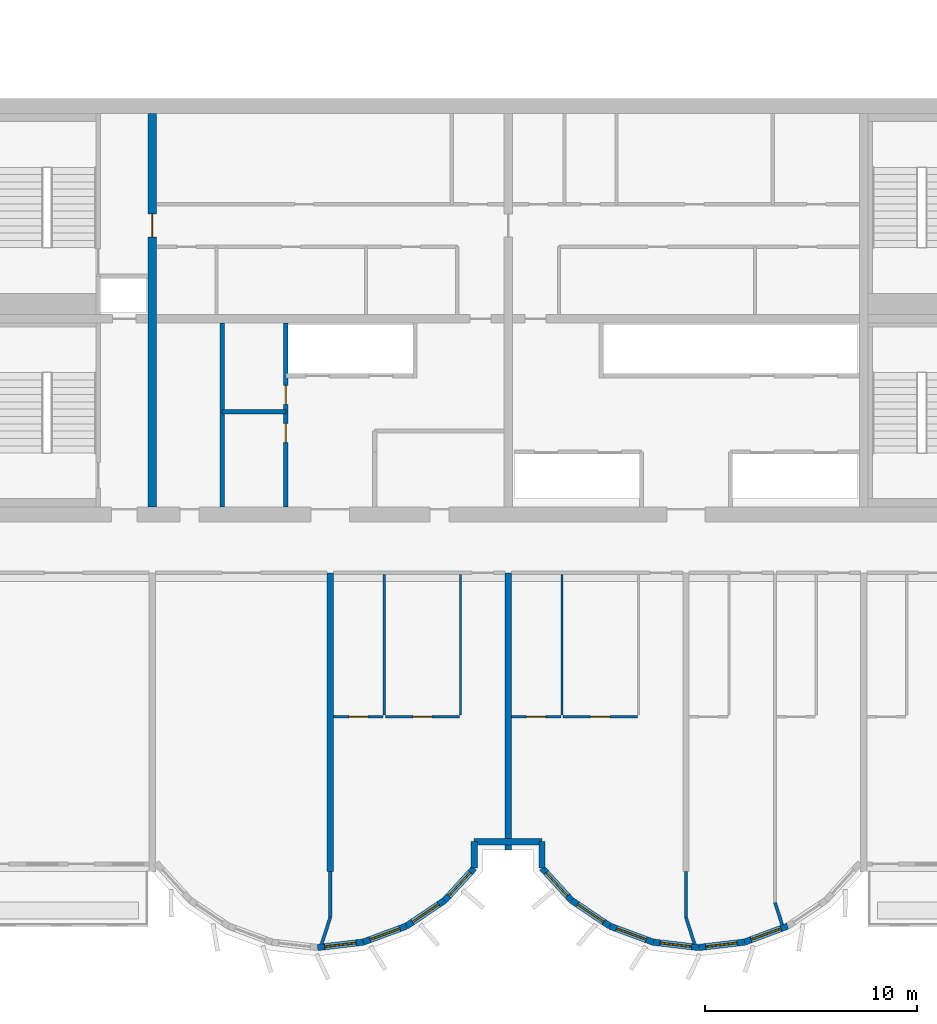
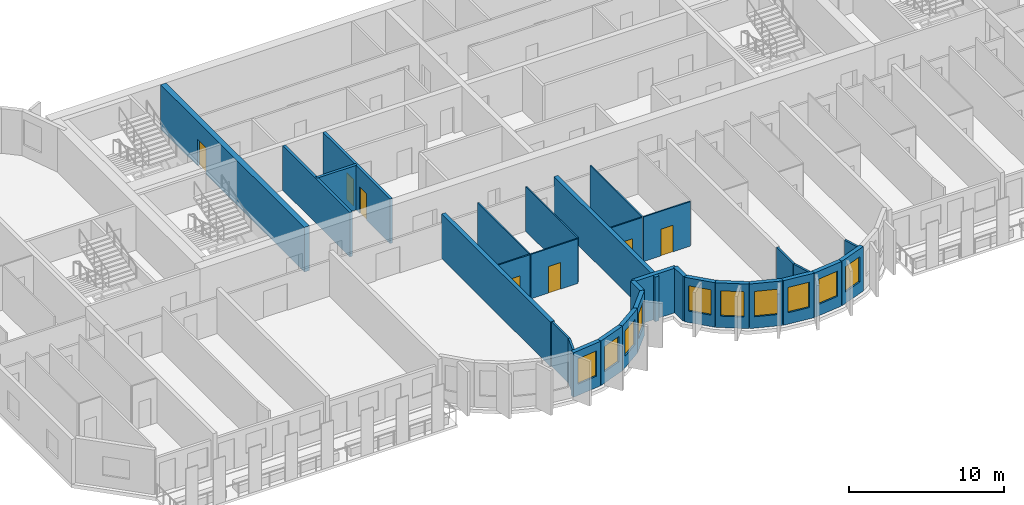
# One storey, part 4 of 13: 31 walls, 10 windows, 7 doors, 17 openings.
"""IFC4 building model written with IfcOpenShell, lengths in metres."""

from ifc_helpers import new_model, si_unit, direction, frame, frame_2d, origin, place, context, subcontext, project, spatial, rectangle, extrude, source, transform, mapped, material, layer, layer_set, type_object, element, fill, save


model = new_model("IFC4")

# Units and contexts
model_context = context("Model", 3, precision=1e-05, world=origin(), true_north=direction((0.0, 1.0)))
body_context = subcontext(model_context, "Body", "Model", "MODEL_VIEW")
ifc_project = project(units=[si_unit("LENGTHUNIT", "METRE"), si_unit("AREAUNIT", "SQUARE_METRE"), si_unit("VOLUMEUNIT", "CUBIC_METRE"), si_unit("PLANEANGLEUNIT", "RADIAN"), si_unit("MASSUNIT", "GRAM", prefix="KILO")], contexts=[model_context])

# Site, building, storey
site_placement = place(None, origin())
site = spatial("IfcSite", under=ifc_project, at=site_placement, CompositionType="ELEMENT")
building_placement = place(site_placement, origin())
building = spatial("IfcBuilding", under=site, at=building_placement, Name="Vanashikhar Sky Hotel", CompositionType="ELEMENT")
storey_placement = place(building_placement, frame((0.0, 0.0, 193.39990234375)))
storey = spatial("IfcBuildingStorey", under=building, at=storey_placement, Name="L47", CompositionType="ELEMENT", Elevation=193.39990234375)

# Wall, opening, door
ifc_material_1 = material(Name="Concrete M60", Category="concrete")
ifc_layer_1 = layer(ifc_material_1, 0.39990234375)
ifc_layer_set_1 = layer_set([ifc_layer_1], Name="RC core inner wall 400 Concrete M60")
wall_type_1 = type_object("IfcWallType", Name="RC core inner wall 400 Concrete M60", PredefinedType="SHEAR", material=ifc_layer_set_1)
shared_shape_1 = source(origin(), body_context, "Body", "SweptSolid", [
    extrude(rectangle(XDim=18.60009765625, YDim=0.39990234375, at=frame_2d((9.300048828125, 0.0))), origin(), (0.0, 0.0, 1.0), 3.52001953125),
])
wall_1_placement = place(storey_placement, frame((33.60009765625, 22.699951171875, 0.0), z_axis=(0.0, 0.0, 1.0), x_axis=(0.0, 1.0, 0.0)))
wall_1 = element("IfcWall", 1, at=wall_1_placement, inside=storey, type_object=wall_type_1, Name="KW-L47-KX1", PredefinedType="SHEAR", context=body_context, shape_type="MappedRepresentation", body=[
    mapped(shared_shape_1, transform((0.0, 0.0, 0.0), scale=1.0)),
])
shared_shape_2 = source(origin(), body_context, "Body", "SweptSolid", [
    extrude(rectangle(XDim=1.10009765625, YDim=2.10009765625, at=frame_2d((0.550048828125, 1.050048828125))), frame((0.0, 0.2099609375, 0.0), z_axis=(0.0, -1.0, 0.0), x_axis=(1.0, 0.0, 0.0)), (0.0, 0.0, 1.0), 0.419921875),
])
opening_1_placement = place(wall_1_placement, frame((12.75, 0.0, 0.0)))
opening_1 = element("IfcOpeningElement", 2, at=opening_1_placement, cuts=wall_1, Name="Opening DC-4-C", PredefinedType="OPENING", context=body_context, shape_type="MappedRepresentation", body=[
    mapped(shared_shape_2, transform((0.0, 0.0, 0.0), scale=1.0)),
])
ifc_material_2 = material(Name="Steel", Category="steel")
door_type_1 = type_object("IfcDoorType", Name="Service door 1100 FD60", OperationType="NOTDEFINED", PredefinedType="DOOR", material=ifc_material_2)
shared_shape_3 = source(origin(), body_context, "Body", "SweptSolid", [
    extrude(rectangle(XDim=1.10009765625, YDim=2.10009765625, at=frame_2d((0.550048828125, 1.050048828125))), frame((0.0, 0.02490234375, 0.0), z_axis=(0.0, -1.0, 0.0), x_axis=(1.0, 0.0, 0.0)), (0.0, 0.0, 1.0), 0.050048828125),
])
door_1_placement = place(opening_1_placement, origin())
door_1 = element("IfcDoor", 3, at=door_1_placement, inside=storey, type_object=door_type_1, Name="Service door 1100 FD60", OperationType="SINGLE_SWING_LEFT", OverallHeight=2.10009765625, OverallWidth=1.10009765625, PredefinedType="DOOR", context=body_context, shape_type="MappedRepresentation", body=[
    mapped(shared_shape_3, transform((0.0, 0.0, 0.0), scale=1.0)),
])
fill(opening_1, door_1)

# Walls
ifc_layer_2 = layer(ifc_material_1, 0.300048828125)
ifc_layer_set_2 = layer_set([ifc_layer_2], Name="RC shear wall 300 Concrete M60")
wall_type_2 = type_object("IfcWallType", Name="RC shear wall 300 Concrete M60", PredefinedType="SHEAR", material=ifc_layer_set_2)
shared_shape_4 = source(origin(), body_context, "Body", "SweptSolid", [
    extrude(rectangle(XDim=14.10009765625, YDim=0.300048828125, at=frame_2d((7.050048828125, 0.0))), origin(), (0.0, 0.0, 1.0), 3.52001953125),
])
wall_2_placement = place(storey_placement, frame((42.0, 5.5, 0.0), z_axis=(0.0, 0.0, 1.0), x_axis=(0.0, 1.0, 0.0)))
element("IfcWall", 4, at=wall_2_placement, inside=storey, type_object=wall_type_2, Name="CW-L47-XW06-1", PredefinedType="SHEAR", context=body_context, shape_type="MappedRepresentation", body=[
    mapped(shared_shape_4, transform((0.0, 0.0, 0.0), scale=1.0)),
])
shared_shape_5 = source(origin(), body_context, "Body", "SweptSolid", [
    extrude(rectangle(XDim=13.10009765625, YDim=0.300048828125, at=frame_2d((6.550048828125, 0.0))), origin(), (0.0, 0.0, 1.0), 3.52001953125),
])
wall_3_placement = place(storey_placement, frame((50.39990234375, 6.5, 0.0), z_axis=(0.0, 0.0, 1.0), x_axis=(0.0, 1.0, 0.0)))
element("IfcWall", 5, at=wall_3_placement, inside=storey, type_object=wall_type_2, Name="CW-L47-XW07-1", PredefinedType="SHEAR", context=body_context, shape_type="MappedRepresentation", body=[
    mapped(shared_shape_5, transform((0.0, 0.0, 0.0), scale=1.0)),
])

# Wall, opening, window
ifc_material_3 = material(Name="Concrete M50", Category="concrete")
ifc_layer_3 = layer(ifc_material_3, 0.300048828125)
ifc_layer_set_3 = layer_set([ifc_layer_3], Name="Lobe wall 300")
wall_type_3 = type_object("IfcWallType", Name="Lobe wall 300", PredefinedType="SOLIDWALL", material=ifc_layer_set_3)
shared_shape_6 = source(origin(), body_context, "Body", "SweptSolid", [
    extrude(rectangle(XDim=2.17578125, YDim=0.300048828125, at=frame_2d((1.087890625, 0.0))), origin(), (0.0, 0.0, 1.0), 3.52001953125),
])
wall_4_placement = place(storey_placement, frame((45.59912109375, 2.91650390625, 0.0), z_axis=(0.0, 0.0, 1.0), x_axis=(0.829625727223, 0.558319937607, 0.0)))
wall_4 = element("IfcWall", 6, at=wall_4_placement, inside=storey, type_object=wall_type_3, Name="Lobe wall", PredefinedType="SOLIDWALL", context=body_context, shape_type="MappedRepresentation", body=[
    mapped(shared_shape_6, transform((0.0, 0.0, 0.0), scale=1.0)),
])
shared_shape_7 = source(origin(), body_context, "Body", "SweptSolid", [
    extrude(rectangle(XDim=1.5, YDim=2.0, at=frame_2d((0.75, 1.0))), frame((0.0, 0.16015625, 0.0), z_axis=(0.0, -1.0, 0.0), x_axis=(1.0, 0.0, 0.0)), (0.0, 0.0, 1.0), 0.320068359375),
])
opening_2_placement = place(wall_4_placement, frame((0.337890625, 0.0, 0.89990234375)))
opening_2 = element("IfcOpeningElement", 7, at=opening_2_placement, cuts=wall_4, Name="Opening WN-2", PredefinedType="OPENING", context=body_context, shape_type="MappedRepresentation", body=[
    mapped(shared_shape_7, transform((0.0, 0.0, 0.0), scale=1.0)),
])
ifc_material_4 = material(Name="Glass", Category="glass")
window_type = type_object("IfcWindowType", Name="Lobe window 1500 x 2000", PartitioningType="SINGLE_PANEL", PredefinedType="WINDOW", material=ifc_material_4)
shared_shape_8 = source(origin(), body_context, "Body", "SweptSolid", [
    extrude(rectangle(XDim=1.5, YDim=2.0, at=frame_2d((0.75, 1.0))), frame((0.0, 0.030029296875, 0.0), z_axis=(0.0, -1.0, 0.0), x_axis=(1.0, 0.0, 0.0)), (0.0, 0.0, 1.0), 0.06005859375),
])
window_1_placement = place(opening_2_placement, origin())
window_1 = element("IfcWindow", 8, at=window_1_placement, inside=storey, type_object=window_type, Name="Window WN-2", OverallHeight=2.0, OverallWidth=1.5, PartitioningType="SINGLE_PANEL", PredefinedType="WINDOW", context=body_context, shape_type="MappedRepresentation", body=[
    mapped(shared_shape_8, transform((0.0, 0.0, 0.0), scale=1.0)),
])
fill(opening_2, window_1)

wall_5_placement = place(storey_placement, frame((53.395751953125, 4.13134765625, 0.0), z_axis=(0.0, 0.0, 1.0), x_axis=(0.829590746428, -0.558371913192, 0.0)))
wall_5 = element("IfcWall", 9, at=wall_5_placement, inside=storey, type_object=wall_type_3, Name="Lobe wall", PredefinedType="SOLIDWALL", context=body_context, shape_type="MappedRepresentation", body=[
    mapped(shared_shape_6, transform((0.0, 0.0, 0.0), scale=1.0)),
])
opening_3_placement = place(wall_5_placement, frame((0.337890625, 0.0, 0.89990234375)))
opening_3 = element("IfcOpeningElement", 10, at=opening_3_placement, cuts=wall_5, Name="Opening WN-2", PredefinedType="OPENING", context=body_context, shape_type="MappedRepresentation", body=[
    mapped(shared_shape_7, transform((0.0, 0.0, 0.0), scale=1.0)),
])
window_2_placement = place(opening_3_placement, origin())
window_2 = element("IfcWindow", 11, at=window_2_placement, inside=storey, type_object=window_type, Name="Window WN-2", OverallHeight=2.0, OverallWidth=1.5, PartitioningType="SINGLE_PANEL", PredefinedType="WINDOW", context=body_context, shape_type="MappedRepresentation", body=[
    mapped(shared_shape_8, transform((0.0, 0.0, 0.0), scale=1.0)),
])
fill(opening_3, window_2)

wall_6_placement = place(storey_placement, frame((55.20068359375, 2.91650390625, 0.0), z_axis=(0.0, 0.0, 1.0), x_axis=(0.93754555999, -0.347862505801, 0.0)))
wall_6 = element("IfcWall", 12, at=wall_6_placement, inside=storey, type_object=wall_type_3, Name="Lobe wall", PredefinedType="SOLIDWALL", context=body_context, shape_type="MappedRepresentation", body=[
    mapped(shared_shape_6, transform((0.0, 0.0, 0.0), scale=1.0)),
])
opening_4_placement = place(wall_6_placement, frame((0.337890625, 0.0, 0.89990234375)))
opening_4 = element("IfcOpeningElement", 13, at=opening_4_placement, cuts=wall_6, Name="Opening WN-2", PredefinedType="OPENING", context=body_context, shape_type="MappedRepresentation", body=[
    mapped(shared_shape_7, transform((0.0, 0.0, 0.0), scale=1.0)),
])
window_3_placement = place(opening_4_placement, origin())
window_3 = element("IfcWindow", 14, at=window_3_placement, inside=storey, type_object=window_type, Name="Window WN-2", OverallHeight=2.0, OverallWidth=1.5, PartitioningType="SINGLE_PANEL", PredefinedType="WINDOW", context=body_context, shape_type="MappedRepresentation", body=[
    mapped(shared_shape_8, transform((0.0, 0.0, 0.0), scale=1.0)),
])
fill(opening_4, window_3)

shared_shape_9 = source(origin(), body_context, "Body", "SweptSolid", [
    extrude(rectangle(XDim=2.174560546875, YDim=0.300048828125, at=frame_2d((1.08740234375, 0.0))), origin(), (0.0, 0.0, 1.0), 3.52001953125),
])
wall_7_placement = place(storey_placement, frame((57.240478515625, 2.15966796875, 0.0), z_axis=(0.0, 0.0, 1.0), x_axis=(0.993001132889, -0.118104826659, 0.0)))
wall_7 = element("IfcWall", 15, at=wall_7_placement, inside=storey, type_object=wall_type_3, Name="Lobe wall", PredefinedType="SOLIDWALL", context=body_context, shape_type="MappedRepresentation", body=[
    mapped(shared_shape_9, transform((0.0, 0.0, 0.0), scale=1.0)),
])
opening_5_placement = place(wall_7_placement, frame((0.33740234375, 0.0, 0.89990234375)))
opening_5 = element("IfcOpeningElement", 16, at=opening_5_placement, cuts=wall_7, Name="Opening WN-2", PredefinedType="OPENING", context=body_context, shape_type="MappedRepresentation", body=[
    mapped(shared_shape_7, transform((0.0, 0.0, 0.0), scale=1.0)),
])
window_4_placement = place(opening_5_placement, origin())
window_4 = element("IfcWindow", 17, at=window_4_placement, inside=storey, type_object=window_type, Name="Window WN-2", OverallHeight=2.0, OverallWidth=1.5, PartitioningType="SINGLE_PANEL", PredefinedType="WINDOW", context=body_context, shape_type="MappedRepresentation", body=[
    mapped(shared_shape_8, transform((0.0, 0.0, 0.0), scale=1.0)),
])
fill(opening_5, window_4)

shared_shape_10 = source(origin(), body_context, "Body", "SweptSolid", [
    extrude(rectangle(XDim=2.1748046875, YDim=0.300048828125, at=frame_2d((1.08740234375, 0.0))), origin(), (0.0, 0.0, 1.0), 3.52001953125),
])
wall_8_placement = place(storey_placement, frame((41.39990234375, 1.90283203125, 0.0), z_axis=(0.0, 0.0, 1.0), x_axis=(0.993002698611, 0.118091661648, 0.0)))
wall_8 = element("IfcWall", 18, at=wall_8_placement, inside=storey, type_object=wall_type_3, Name="Lobe wall", PredefinedType="SOLIDWALL", context=body_context, shape_type="MappedRepresentation", body=[
    mapped(shared_shape_10, transform((0.0, 0.0, 0.0), scale=1.0)),
])
opening_6_placement = place(wall_8_placement, frame((0.33740234375, 0.0, 0.89990234375)))
opening_6 = element("IfcOpeningElement", 19, at=opening_6_placement, cuts=wall_8, Name="Opening WN-2", PredefinedType="OPENING", context=body_context, shape_type="MappedRepresentation", body=[
    mapped(shared_shape_7, transform((0.0, 0.0, 0.0), scale=1.0)),
])
window_5_placement = place(opening_6_placement, origin())
window_5 = element("IfcWindow", 20, at=window_5_placement, inside=storey, type_object=window_type, Name="Window WN-2", OverallHeight=2.0, OverallWidth=1.5, PartitioningType="SINGLE_PANEL", PredefinedType="WINDOW", context=body_context, shape_type="MappedRepresentation", body=[
    mapped(shared_shape_8, transform((0.0, 0.0, 0.0), scale=1.0)),
])
fill(opening_6, window_5)

wall_9_placement = place(storey_placement, frame((59.39990234375, 1.90283203125, 0.0), z_axis=(0.0, 0.0, 1.0), x_axis=(0.993002698611, 0.118091661648, 0.0)))
wall_9 = element("IfcWall", 21, at=wall_9_placement, inside=storey, type_object=wall_type_3, Name="Lobe wall", PredefinedType="SOLIDWALL", context=body_context, shape_type="MappedRepresentation", body=[
    mapped(shared_shape_10, transform((0.0, 0.0, 0.0), scale=1.0)),
])
opening_7_placement = place(wall_9_placement, frame((0.33740234375, 0.0, 0.89990234375)))
opening_7 = element("IfcOpeningElement", 22, at=opening_7_placement, cuts=wall_9, Name="Opening WN-2", PredefinedType="OPENING", context=body_context, shape_type="MappedRepresentation", body=[
    mapped(shared_shape_7, transform((0.0, 0.0, 0.0), scale=1.0)),
])
window_6_placement = place(opening_7_placement, origin())
window_6 = element("IfcWindow", 23, at=window_6_placement, inside=storey, type_object=window_type, Name="Window WN-2", OverallHeight=2.0, OverallWidth=1.5, PartitioningType="SINGLE_PANEL", PredefinedType="WINDOW", context=body_context, shape_type="MappedRepresentation", body=[
    mapped(shared_shape_8, transform((0.0, 0.0, 0.0), scale=1.0)),
])
fill(opening_7, window_6)

shared_shape_11 = source(origin(), body_context, "Body", "SweptSolid", [
    extrude(rectangle(XDim=2.175537109375, YDim=0.300048828125, at=frame_2d((1.087890625, 0.0))), origin(), (0.0, 0.0, 1.0), 3.52001953125),
])
wall_10_placement = place(storey_placement, frame((43.5595703125, 2.15966796875, 0.0), z_axis=(0.0, 0.0, 1.0), x_axis=(0.937531979054, 0.347899106424, 0.0)))
wall_10 = element("IfcWall", 24, at=wall_10_placement, inside=storey, type_object=wall_type_3, Name="Lobe wall", PredefinedType="SOLIDWALL", context=body_context, shape_type="MappedRepresentation", body=[
    mapped(shared_shape_11, transform((0.0, 0.0, 0.0), scale=1.0)),
])
opening_8_placement = place(wall_10_placement, frame((0.337890625, 0.0, 0.89990234375)))
opening_8 = element("IfcOpeningElement", 25, at=opening_8_placement, cuts=wall_10, Name="Opening WN-2", PredefinedType="OPENING", context=body_context, shape_type="MappedRepresentation", body=[
    mapped(shared_shape_7, transform((0.0, 0.0, 0.0), scale=1.0)),
])
window_7_placement = place(opening_8_placement, origin())
window_7 = element("IfcWindow", 26, at=window_7_placement, inside=storey, type_object=window_type, Name="Window WN-2", OverallHeight=2.0, OverallWidth=1.5, PartitioningType="SINGLE_PANEL", PredefinedType="WINDOW", context=body_context, shape_type="MappedRepresentation", body=[
    mapped(shared_shape_8, transform((0.0, 0.0, 0.0), scale=1.0)),
])
fill(opening_8, window_7)

wall_11_placement = place(storey_placement, frame((61.5595703125, 2.15966796875, 0.0), z_axis=(0.0, 0.0, 1.0), x_axis=(0.937531979054, 0.347899106424, 0.0)))
wall_11 = element("IfcWall", 27, at=wall_11_placement, inside=storey, type_object=wall_type_3, Name="Lobe wall", PredefinedType="SOLIDWALL", context=body_context, shape_type="MappedRepresentation", body=[
    mapped(shared_shape_11, transform((0.0, 0.0, 0.0), scale=1.0)),
])
opening_9_placement = place(wall_11_placement, frame((0.337890625, 0.0, 0.89990234375)))
opening_9 = element("IfcOpeningElement", 28, at=opening_9_placement, cuts=wall_11, Name="Opening WN-2", PredefinedType="OPENING", context=body_context, shape_type="MappedRepresentation", body=[
    mapped(shared_shape_7, transform((0.0, 0.0, 0.0), scale=1.0)),
])
window_8_placement = place(opening_9_placement, origin())
window_8 = element("IfcWindow", 29, at=window_8_placement, inside=storey, type_object=window_type, Name="Window WN-2", OverallHeight=2.0, OverallWidth=1.5, PartitioningType="SINGLE_PANEL", PredefinedType="WINDOW", context=body_context, shape_type="MappedRepresentation", body=[
    mapped(shared_shape_8, transform((0.0, 0.0, 0.0), scale=1.0)),
])
fill(opening_9, window_8)

shared_shape_12 = source(origin(), body_context, "Body", "SweptSolid", [
    extrude(rectangle(XDim=2.066650390625, YDim=0.300048828125, at=frame_2d((1.033203125, 0.0))), origin(), (0.0, 0.0, 1.0), 3.52001953125),
])
wall_12_placement = place(storey_placement, frame((47.404296875, 4.13134765625, 0.0), z_axis=(0.0, 0.0, 1.0), x_axis=(0.675355439877, 0.737492393065, 0.0)))
wall_12 = element("IfcWall", 30, at=wall_12_placement, inside=storey, type_object=wall_type_3, Name="Lobe wall", PredefinedType="SOLIDWALL", context=body_context, shape_type="MappedRepresentation", body=[
    mapped(shared_shape_12, transform((0.0, 0.0, 0.0), scale=1.0)),
])
opening_10_placement = place(wall_12_placement, frame((0.283447265625, 0.0, 0.89990234375)))
opening_10 = element("IfcOpeningElement", 31, at=opening_10_placement, cuts=wall_12, Name="Opening WN-2", PredefinedType="OPENING", context=body_context, shape_type="MappedRepresentation", body=[
    mapped(shared_shape_7, transform((0.0, 0.0, 0.0), scale=1.0)),
])
window_9_placement = place(opening_10_placement, origin())
window_9 = element("IfcWindow", 32, at=window_9_placement, inside=storey, type_object=window_type, Name="Window WN-2", OverallHeight=2.0, OverallWidth=1.5, PartitioningType="SINGLE_PANEL", PredefinedType="WINDOW", context=body_context, shape_type="MappedRepresentation", body=[
    mapped(shared_shape_8, transform((0.0, 0.0, 0.0), scale=1.0)),
])
fill(opening_10, window_9)

wall_13_placement = place(storey_placement, frame((52.0, 5.655517578125, 0.0), z_axis=(0.0, 0.0, 1.0), x_axis=(0.675355439877, -0.737492393065, 0.0)))
wall_13 = element("IfcWall", 33, at=wall_13_placement, inside=storey, type_object=wall_type_3, Name="Lobe wall", PredefinedType="SOLIDWALL", context=body_context, shape_type="MappedRepresentation", body=[
    mapped(shared_shape_12, transform((0.0, 0.0, 0.0), scale=1.0)),
])
opening_11_placement = place(wall_13_placement, frame((0.283447265625, 0.0, 0.89990234375)))
opening_11 = element("IfcOpeningElement", 34, at=opening_11_placement, cuts=wall_13, Name="Opening WN-2", PredefinedType="OPENING", context=body_context, shape_type="MappedRepresentation", body=[
    mapped(shared_shape_7, transform((0.0, 0.0, 0.0), scale=1.0)),
])
window_10_placement = place(opening_11_placement, origin())
window_10 = element("IfcWindow", 35, at=window_10_placement, inside=storey, type_object=window_type, Name="Window WN-2", OverallHeight=2.0, OverallWidth=1.5, PartitioningType="SINGLE_PANEL", PredefinedType="WINDOW", context=body_context, shape_type="MappedRepresentation", body=[
    mapped(shared_shape_8, transform((0.0, 0.0, 0.0), scale=1.0)),
])
fill(opening_11, window_10)

# Walls
shared_shape_13 = source(origin(), body_context, "Body", "SweptSolid", [
    extrude(rectangle(XDim=1.244384765625, YDim=0.300048828125, at=frame_2d((0.6220703125, 0.0))), origin(), (0.0, 0.0, 1.0), 3.52001953125),
])
for number, where, z_axis, x_axis, name in (
    (36, (48.800048828125, 5.655517578125, 0.0), (0.0, 0.0, 1.0), (0.0, 1.0, 0.0), "Groove wall"),
    (37, (52.0, 6.89990234375, 0.0), (0.0, 0.0, 1.0), (0.0, -1.0, 0.0), "Groove wall"),
):
    element("IfcWall", number, at=place(storey_placement, frame(where, z_axis=z_axis, x_axis=x_axis)), inside=storey, type_object=wall_type_3, Name=name, PredefinedType="SOLIDWALL", context=body_context, shape_type="MappedRepresentation", body=[
        mapped(shared_shape_13, transform((0.0, 0.0, 0.0), scale=1.0)),
    ])
shared_shape_14 = source(origin(), body_context, "Body", "SweptSolid", [
    extrude(rectangle(XDim=3.199951171875, YDim=0.300048828125, at=frame_2d((1.60009765625, 0.0))), origin(), (0.0, 0.0, 1.0), 3.52001953125),
])
wall_14_placement = place(storey_placement, frame((48.800048828125, 6.89990234375, 0.0), z_axis=(0.0, 0.0, 1.0), x_axis=(1.0, 0.0, 0.0)))
element("IfcWall", 38, at=wall_14_placement, inside=storey, type_object=wall_type_3, Name="Groove wall", PredefinedType="SOLIDWALL", context=body_context, shape_type="MappedRepresentation", body=[
    mapped(shared_shape_14, transform((0.0, 0.0, 0.0), scale=1.0)),
])

# Wall, openings, doors
ifc_material_5 = material(Name="Gypsum board partition")
ifc_layer_4 = layer(ifc_material_5, 0.14990234375)
ifc_layer_set_4 = layer_set([ifc_layer_4], Name="Service partition 150")
wall_type_4 = type_object("IfcWallType", Name="Service partition 150", PredefinedType="PARTITIONING", material=ifc_layer_set_4)
shared_shape_15 = source(origin(), body_context, "Body", "SweptSolid", [
    extrude(rectangle(XDim=8.699951171875, YDim=0.199951171875, at=frame_2d((4.35009765625, 0.0))), origin(), (0.0, 0.0, 1.0), 3.52001953125),
])
wall_15_placement = place(storey_placement, frame((39.89990234375, 22.699951171875, 0.0), z_axis=(0.0, 0.0, 1.0), x_axis=(0.0, 1.0, 0.0)))
wall_15 = element("IfcWall", 39, at=wall_15_placement, inside=storey, type_object=wall_type_4, Name="Service partition 150", PredefinedType="PARTITIONING", context=body_context, shape_type="MappedRepresentation", body=[
    mapped(shared_shape_15, transform((0.0, 0.0, 0.0), scale=1.0)),
])
shared_shape_16 = source(origin(), body_context, "Body", "SweptSolid", [
    extrude(rectangle(XDim=0.89990234375, YDim=2.10009765625, at=frame_2d((0.449951171875, 1.050048828125))), frame((0.0, 0.10986328125, 0.0), z_axis=(0.0, -1.0, 0.0), x_axis=(1.0, 0.0, 0.0)), (0.0, 0.0, 1.0), 0.219970703125),
])
opening_12_placement = place(wall_15_placement, frame((3.050048828125, 0.0, 0.0)))
opening_12 = element("IfcOpeningElement", 40, at=opening_12_placement, cuts=wall_15, Name="Opening DC-4-A", PredefinedType="OPENING", context=body_context, shape_type="MappedRepresentation", body=[
    mapped(shared_shape_16, transform((0.0, 0.0, 0.0), scale=1.0)),
])
opening_13_placement = place(wall_15_placement, frame((4.85009765625, 0.0, 0.0)))
opening_13 = element("IfcOpeningElement", 41, at=opening_13_placement, cuts=wall_15, Name="Opening DC-4-A", PredefinedType="OPENING", context=body_context, shape_type="MappedRepresentation", body=[
    mapped(shared_shape_16, transform((0.0, 0.0, 0.0), scale=1.0)),
])
door_type_2 = type_object("IfcDoorType", Name="Service door 900 FD60", OperationType="NOTDEFINED", PredefinedType="DOOR", material=ifc_material_2)
shared_shape_17 = source(origin(), body_context, "Body", "SweptSolid", [
    extrude(rectangle(XDim=0.89990234375, YDim=2.10009765625, at=frame_2d((0.449951171875, 1.050048828125))), frame((0.0, 0.02490234375, 0.0), z_axis=(0.0, -1.0, 0.0), x_axis=(1.0, 0.0, 0.0)), (0.0, 0.0, 1.0), 0.050048828125),
])
door_2_placement = place(opening_12_placement, origin())
door_2 = element("IfcDoor", 42, at=door_2_placement, inside=storey, type_object=door_type_2, Name="Service door 900 FD60", OperationType="SINGLE_SWING_LEFT", OverallHeight=2.10009765625, OverallWidth=0.89990234375, PredefinedType="DOOR", context=body_context, shape_type="MappedRepresentation", body=[
    mapped(shared_shape_17, transform((0.0, 0.0, 0.0), scale=1.0)),
])
fill(opening_12, door_2)
door_3_placement = place(opening_13_placement, origin())
door_3 = element("IfcDoor", 43, at=door_3_placement, inside=storey, type_object=door_type_2, Name="Service door 900 FD60", OperationType="SINGLE_SWING_RIGHT", OverallHeight=2.10009765625, OverallWidth=0.89990234375, PredefinedType="DOOR", context=body_context, shape_type="MappedRepresentation", body=[
    mapped(shared_shape_17, transform((0.0, 0.0, 0.0), scale=1.0)),
])
fill(opening_13, door_3)

# Walls
wall_16_placement = place(storey_placement, frame((36.89990234375, 22.699951171875, 0.0), z_axis=(0.0, 0.0, 1.0), x_axis=(0.0, 1.0, 0.0)))
element("IfcWall", 44, at=wall_16_placement, inside=storey, type_object=wall_type_4, Name="Service partition 150", PredefinedType="PARTITIONING", context=body_context, shape_type="MappedRepresentation", body=[
    mapped(shared_shape_15, transform((0.0, 0.0, 0.0), scale=1.0)),
])
shared_shape_18 = source(origin(), body_context, "Body", "SweptSolid", [
    extrude(rectangle(XDim=3.0, YDim=0.199951171875, at=frame_2d((1.5, 0.0))), origin(), (0.0, 0.0, 1.0), 3.52001953125),
])
wall_17_placement = place(storey_placement, frame((36.89990234375, 27.199951171875, 0.0), z_axis=(0.0, 0.0, 1.0), x_axis=(1.0, 0.0, 0.0)))
element("IfcWall", 45, at=wall_17_placement, inside=storey, type_object=wall_type_4, Name="Service partition 150", PredefinedType="PARTITIONING", context=body_context, shape_type="MappedRepresentation", body=[
    mapped(shared_shape_18, transform((0.0, 0.0, 0.0), scale=1.0)),
])
ifc_material_6 = material(Name="Gypsum plasterboard partition")
ifc_layer_5 = layer(ifc_material_6, 0.14990234375)
ifc_layer_set_5 = layer_set([ifc_layer_5], Name="Corridor and demising partition 150")
wall_type_5 = type_object("IfcWallType", Name="Corridor and demising partition 150", PredefinedType="PARTITIONING", material=ifc_layer_set_5)
shared_shape_19 = source(origin(), body_context, "Body", "SweptSolid", [
    extrude(rectangle(XDim=2.177978515625, YDim=0.14990234375, at=frame_2d((1.0888671875, 0.0))), origin(), (0.0, 0.0, 1.0), 3.52001953125),
])
for number, where, z_axis, x_axis, name in (
    (46, (42.0, 3.322021484375, 0.0), (0.0, 0.0, 1.0), (0.0, 1.0, 0.0), "W-L47-PW051"),
    (47, (58.800048828125, 3.322021484375, 0.0), (0.0, 0.0, 1.0), (0.0, 1.0, 0.0), "W-L47-PW052"),
):
    element("IfcWall", number, at=place(storey_placement, frame(where, z_axis=z_axis, x_axis=x_axis)), inside=storey, type_object=wall_type_5, Name=name, PredefinedType="PARTITIONING", context=body_context, shape_type="MappedRepresentation", body=[
        mapped(shared_shape_19, transform((0.0, 0.0, 0.0), scale=1.0)),
    ])

# Wall, opening, door
ifc_layer_6 = layer(ifc_material_6, 0.10009765625)
ifc_layer_set_6 = layer_set([ifc_layer_6], Name="Wet room partition 100")
wall_type_6 = type_object("IfcWallType", Name="Wet room partition 100", PredefinedType="PARTITIONING", material=ifc_layer_set_6)
shared_shape_20 = source(origin(), body_context, "Body", "SweptSolid", [
    extrude(rectangle(XDim=3.5, YDim=0.10009765625, at=frame_2d((1.75, 0.0))), origin(), (0.0, 0.0, 1.0), 3.52001953125),
])
wall_18_placement = place(storey_placement, frame((44.60009765625, 12.800048828125, 0.0), z_axis=(0.0, 0.0, 1.0), x_axis=(1.0, 0.0, 0.0)))
wall_18 = element("IfcWall", 48, at=wall_18_placement, inside=storey, type_object=wall_type_6, Name="W-L47-PW015", PredefinedType="PARTITIONING", context=body_context, shape_type="MappedRepresentation", body=[
    mapped(shared_shape_20, transform((0.0, 0.0, 0.0), scale=1.0)),
])
shared_shape_21 = source(origin(), body_context, "Body", "SweptSolid", [
    extrude(rectangle(XDim=0.89990234375, YDim=2.10009765625, at=frame_2d((0.449951171875, 1.050048828125))), frame((0.0, 0.06005859375, 0.0), z_axis=(0.0, -1.0, 0.0), x_axis=(1.0, 0.0, 0.0)), (0.0, 0.0, 1.0), 0.1201171875),
])
opening_14_placement = place(wall_18_placement, frame((1.300048828125, 0.0, 0.0)))
opening_14 = element("IfcOpeningElement", 49, at=opening_14_placement, cuts=wall_18, Name="Opening D-02", PredefinedType="OPENING", context=body_context, shape_type="MappedRepresentation", body=[
    mapped(shared_shape_21, transform((0.0, 0.0, 0.0), scale=1.0)),
])
ifc_material_7 = material(Name="Timber door", Category="wood")
door_type_3 = type_object("IfcDoorType", Name="Internal door 900", OperationType="NOTDEFINED", PredefinedType="DOOR", material=ifc_material_7)
door_4_placement = place(opening_14_placement, origin())
door_4 = element("IfcDoor", 50, at=door_4_placement, inside=storey, type_object=door_type_3, Name="D-L47-009", OperationType="SINGLE_SWING_RIGHT", OverallHeight=2.10009765625, OverallWidth=0.89990234375, PredefinedType="DOOR", context=body_context, shape_type="MappedRepresentation", body=[
    mapped(shared_shape_17, transform((0.0, 0.0, 0.0), scale=1.0)),
])
fill(opening_14, door_4)

wall_19_placement = place(storey_placement, frame((53.0, 12.800048828125, 0.0), z_axis=(0.0, 0.0, 1.0), x_axis=(1.0, 0.0, 0.0)))
wall_19 = element("IfcWall", 51, at=wall_19_placement, inside=storey, type_object=wall_type_6, Name="W-L47-PW020", PredefinedType="PARTITIONING", context=body_context, shape_type="MappedRepresentation", body=[
    mapped(shared_shape_20, transform((0.0, 0.0, 0.0), scale=1.0)),
])
opening_15_placement = place(wall_19_placement, frame((1.300048828125, 0.0, 0.0)))
opening_15 = element("IfcOpeningElement", 52, at=opening_15_placement, cuts=wall_19, Name="Opening D-02", PredefinedType="OPENING", context=body_context, shape_type="MappedRepresentation", body=[
    mapped(shared_shape_21, transform((0.0, 0.0, 0.0), scale=1.0)),
])
door_5_placement = place(opening_15_placement, origin())
door_5 = element("IfcDoor", 53, at=door_5_placement, inside=storey, type_object=door_type_3, Name="D-L47-012", OperationType="SINGLE_SWING_RIGHT", OverallHeight=2.10009765625, OverallWidth=0.89990234375, PredefinedType="DOOR", context=body_context, shape_type="MappedRepresentation", body=[
    mapped(shared_shape_17, transform((0.0, 0.0, 0.0), scale=1.0)),
])
fill(opening_15, door_5)

# Walls
shared_shape_22 = source(origin(), body_context, "Body", "SweptSolid", [
    extrude(rectangle(XDim=1.100830078125, YDim=0.14990234375, at=frame_2d((0.55029296875, 0.0))), origin(), (0.0, 0.0, 1.0), 3.52001953125),
])
wall_20_placement = place(storey_placement, frame((63.343017578125, 2.98095703125, 0.0), z_axis=(0.0, 0.0, 1.0), x_axis=(-0.311567081539, 0.950224159712, 0.0)))
element("IfcWall", 54, at=wall_20_placement, inside=storey, type_object=wall_type_5, Name="W-L47-PW029B0", PredefinedType="PARTITIONING", context=body_context, shape_type="MappedRepresentation", body=[
    mapped(shared_shape_22, transform((0.0, 0.0, 0.0), scale=1.0)),
])
shared_shape_23 = source(origin(), body_context, "Body", "SweptSolid", [
    extrude(rectangle(XDim=1.308349609375, YDim=0.14990234375, at=frame_2d((0.654296875, 0.0))), origin(), (0.0, 0.0, 1.0), 3.52001953125),
])
for number, where, z_axis, x_axis, name in (
    (55, (41.597900390625, 2.076904296875, 0.0), (0.0, 0.0, 1.0), (0.307313512187, 0.951608325535, 0.0), "W-L47-PW051B0"),
    (56, (59.201904296875, 2.076904296875, 0.0), (0.0, 0.0, 1.0), (-0.307144529633, 0.951662880392, 0.0), "W-L47-PW052B0"),
):
    element("IfcWall", number, at=place(storey_placement, frame(where, z_axis=z_axis, x_axis=x_axis)), inside=storey, type_object=wall_type_5, Name=name, PredefinedType="PARTITIONING", context=body_context, shape_type="MappedRepresentation", body=[
        mapped(shared_shape_23, transform((0.0, 0.0, 0.0), scale=1.0)),
    ])

# Wall, opening, door
shared_shape_24 = source(origin(), body_context, "Body", "SweptSolid", [
    extrude(rectangle(XDim=2.349853515625, YDim=0.10009765625, at=frame_2d((1.1748046875, 0.0))), origin(), (0.0, 0.0, 1.0), 3.52001953125),
])
wall_21_placement = place(storey_placement, frame((50.550048828125, 12.800048828125, 0.0), z_axis=(0.0, 0.0, 1.0), x_axis=(1.0, 0.0, 0.0)))
wall_21 = element("IfcWall", 57, at=wall_21_placement, inside=storey, type_object=wall_type_6, Name="W-L47-PW021", PredefinedType="PARTITIONING", context=body_context, shape_type="MappedRepresentation", body=[
    mapped(shared_shape_24, transform((0.0, 0.0, 0.0), scale=1.0)),
])
opening_16_placement = place(wall_21_placement, frame((0.72509765625, 0.0, 0.0)))
opening_16 = element("IfcOpeningElement", 58, at=opening_16_placement, cuts=wall_21, Name="Opening D-02", PredefinedType="OPENING", context=body_context, shape_type="MappedRepresentation", body=[
    mapped(shared_shape_21, transform((0.0, 0.0, 0.0), scale=1.0)),
])
door_6_placement = place(opening_16_placement, origin())
door_6 = element("IfcDoor", 59, at=door_6_placement, inside=storey, type_object=door_type_3, Name="D-L47-013", OperationType="SINGLE_SWING_RIGHT", OverallHeight=2.10009765625, OverallWidth=0.89990234375, PredefinedType="DOOR", context=body_context, shape_type="MappedRepresentation", body=[
    mapped(shared_shape_17, transform((0.0, 0.0, 0.0), scale=1.0)),
])
fill(opening_16, door_6)

# Walls
shared_shape_25 = source(origin(), body_context, "Body", "SweptSolid", [
    extrude(rectangle(XDim=6.64990234375, YDim=0.10009765625, at=frame_2d((3.324951171875, 0.0))), origin(), (0.0, 0.0, 1.0), 3.52001953125),
])
for number, where, z_axis, x_axis, name in (
    (60, (48.14990234375, 12.875, 0.0), (0.0, 0.0, 1.0), (0.0, 1.0, 0.0), "W-L47-PW013"),
    (61, (44.550048828125, 12.875, 0.0), (0.0, 0.0, 1.0), (0.0, 1.0, 0.0), "W-L47-PW014"),
    (62, (52.949951171875, 12.875, 0.0), (0.0, 0.0, 1.0), (0.0, 1.0, 0.0), "W-L47-PW019"),
):
    element("IfcWall", number, at=place(storey_placement, frame(where, z_axis=z_axis, x_axis=x_axis)), inside=storey, type_object=wall_type_6, Name=name, PredefinedType="PARTITIONING", context=body_context, shape_type="MappedRepresentation", body=[
        mapped(shared_shape_25, transform((0.0, 0.0, 0.0), scale=1.0)),
    ])

# Wall, opening, door
shared_shape_26 = source(origin(), body_context, "Body", "SweptSolid", [
    extrude(rectangle(XDim=2.35009765625, YDim=0.10009765625, at=frame_2d((1.175048828125, 0.0))), origin(), (0.0, 0.0, 1.0), 3.52001953125),
])
wall_22_placement = place(storey_placement, frame((42.14990234375, 12.800048828125, 0.0), z_axis=(0.0, 0.0, 1.0), x_axis=(1.0, 0.0, 0.0)))
wall_22 = element("IfcWall", 63, at=wall_22_placement, inside=storey, type_object=wall_type_6, Name="W-L47-PW016", PredefinedType="PARTITIONING", context=body_context, shape_type="MappedRepresentation", body=[
    mapped(shared_shape_26, transform((0.0, 0.0, 0.0), scale=1.0)),
])
opening_17_placement = place(wall_22_placement, frame((0.72509765625, 0.0, 0.0)))
opening_17 = element("IfcOpeningElement", 64, at=opening_17_placement, cuts=wall_22, Name="Opening D-02", PredefinedType="OPENING", context=body_context, shape_type="MappedRepresentation", body=[
    mapped(shared_shape_21, transform((0.0, 0.0, 0.0), scale=1.0)),
])
door_7_placement = place(opening_17_placement, origin())
door_7 = element("IfcDoor", 65, at=door_7_placement, inside=storey, type_object=door_type_3, Name="D-L47-010", OperationType="SINGLE_SWING_RIGHT", OverallHeight=2.10009765625, OverallWidth=0.89990234375, PredefinedType="DOOR", context=body_context, shape_type="MappedRepresentation", body=[
    mapped(shared_shape_17, transform((0.0, 0.0, 0.0), scale=1.0)),
])
fill(opening_17, door_7)

save(model, "model.ifc")
